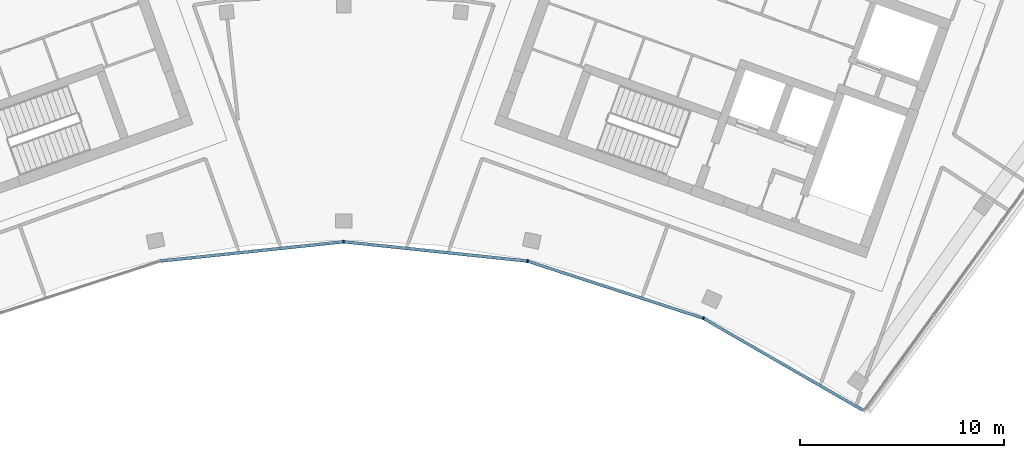
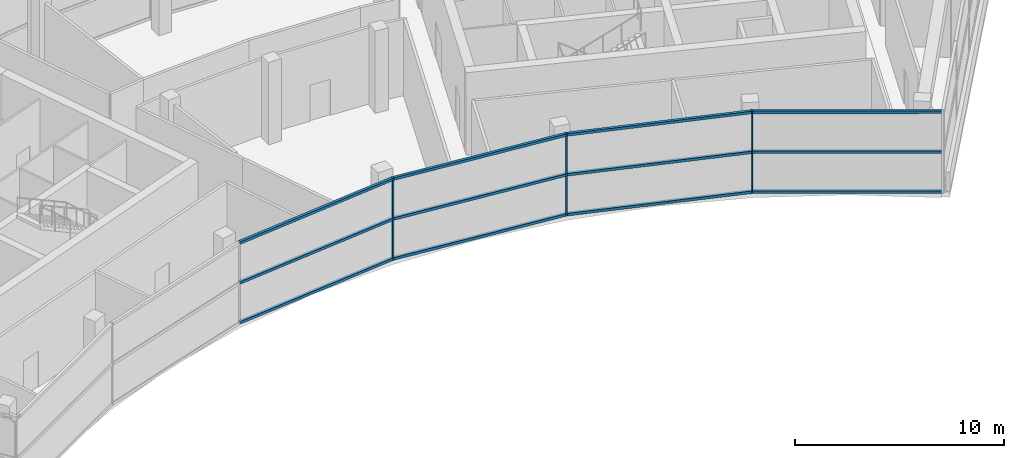
# One storey, part 4 of 13: 15 members, 1 element without a shape of its own.
"""IFC4 building model written with IfcOpenShell, lengths in metres."""

from ifc_helpers import new_model, si_unit, direction, frame, origin, origin_2d, place, context, subcontext, project, spatial, rectangle, extrude, material, layer, layer_set, material_profile, profile_set, type_object, element, aggregate, save


model = new_model("IFC4")

# Units and contexts
model_context = context("Model", 3, precision=1e-05, world=origin(), true_north=direction((0.0, 1.0)))
body_context = subcontext(model_context, "Body", "Model", "MODEL_VIEW")
ifc_project = project(units=[si_unit("LENGTHUNIT", "METRE"), si_unit("AREAUNIT", "SQUARE_METRE"), si_unit("VOLUMEUNIT", "CUBIC_METRE"), si_unit("PLANEANGLEUNIT", "RADIAN"), si_unit("MASSUNIT", "GRAM", prefix="KILO")], contexts=[model_context])

# Site, building, storey
site_placement = place(None, origin())
site = spatial("IfcSite", under=ifc_project, at=site_placement, CompositionType="ELEMENT")
building_placement = place(site_placement, origin())
building = spatial("IfcBuilding", under=site, at=building_placement, Name="Stone Belt Terrace Tower", CompositionType="ELEMENT")
storey_placement = place(building_placement, frame((0.0, 0.0, 332.60009765625)))
storey = spatial("IfcBuildingStorey", under=building, at=storey_placement, Name="L79", CompositionType="ELEMENT", Elevation=332.60009765625)

# Curtain wall, members
ifc_material = material(Name="Aluminium 6063-T6 anodised frame", Category="aluminium")
ifc_layer = layer(ifc_material, 0.14990234375)
ifc_layer_set = layer_set([ifc_layer], Name="CW-F observation floor curtain wall")
curtain_wall_type = type_object("IfcCurtainWallType", Name="CW-F observation floor curtain wall", PredefinedType="NOTDEFINED", material=ifc_layer_set)
curtain_wall_placement = place(storey_placement, origin())
curtain_wall = element("IfcCurtainWall", 1, at=curtain_wall_placement, inside=storey, type_object=curtain_wall_type, Name="CW-F concave face L79", PredefinedType="NOTDEFINED")
ifc_material_profile_1 = material_profile(ifc_material, rectangle(XDim=0.14990234375, YDim=0.070068359375, at=origin_2d()), Name="Aluminium 6063-T6 70x150")
ifc_profile_set_1 = profile_set([ifc_material_profile_1], Name="Aluminium 6063-T6 anodised frame")
member_type_1 = type_object("IfcMemberType", Name="CW-F mullion 70 x 150", PredefinedType="MULLION", material=ifc_profile_set_1)
member_1_placement = place(storey_placement, frame((0.0, 43.424560546875, 0.0), z_axis=(0.0, 0.0, 1.0), x_axis=(0.0, 1.0, 0.0)))
member_1 = element("IfcMember", 2, at=member_1_placement, type_object=member_type_1, Name="CW-F mullion 4", PredefinedType="MULLION", context=body_context, shape_type="SweptSolid", body=[
    extrude(rectangle(XDim=0.14990234375, YDim=0.070068359375, at=origin_2d()), origin(), (0.0, 0.0, 1.0), 4.7998046875),
])
member_2_placement = place(storey_placement, frame((9.028564453125, 42.4755859375, 0.0), z_axis=(0.0, 0.0, 1.0), x_axis=(0.207911690818, 0.978147600734, 0.0)))
member_2 = element("IfcMember", 3, at=member_2_placement, type_object=member_type_1, Name="CW-F mullion 5", PredefinedType="MULLION", context=body_context, shape_type="SweptSolid", body=[
    extrude(rectangle(XDim=0.14990234375, YDim=0.070068359375, at=origin_2d()), origin(), (0.0, 0.0, 1.0), 4.7998046875),
])
member_3_placement = place(storey_placement, frame((17.662353515625, 39.67041015625, 0.0), z_axis=(0.0, 0.0, 1.0), x_axis=(0.406497781929, 0.913651768064, 0.0)))
member_3 = element("IfcMember", 4, at=member_3_placement, type_object=member_type_1, Name="CW-F mullion 6", PredefinedType="MULLION", context=body_context, shape_type="SweptSolid", body=[
    extrude(rectangle(XDim=0.14990234375, YDim=0.070068359375, at=origin_2d()), origin(), (0.0, 0.0, 1.0), 4.7998046875),
])
ifc_material_profile_2 = material_profile(ifc_material, rectangle(XDim=0.14990234375, YDim=0.14990234375, at=origin_2d()), Name="Aluminium 6063-T6 150x150")
ifc_profile_set_2 = profile_set([ifc_material_profile_2], Name="Aluminium 6063-T6 anodised frame")
member_type_2 = type_object("IfcMemberType", Name="CW-F transom 150 x 150", PredefinedType="USERDEFINED", material=ifc_profile_set_2)
member_4_placement = place(storey_placement, frame((-8.986083984375, 42.480224609375, 0.074951171875), z_axis=(0.994522695299, 0.104520852152, 0.0), x_axis=(-0.104520852152, 0.994522695299, 0.0)))
member_4 = element("IfcMember", 5, at=member_4_placement, type_object=member_type_2, Name="CW-F transom 3.1", ObjectType="TRANSOM", PredefinedType="USERDEFINED", context=body_context, shape_type="SweptSolid", body=[
    extrude(rectangle(XDim=0.14990234375, YDim=0.14990234375, at=origin_2d()), origin(), (0.0, 0.0, 1.0), 8.992919921875),
])
member_5_placement = place(storey_placement, frame((-8.986083984375, 42.480224609375, 2.39990234375), z_axis=(0.994522695299, 0.104520852152, 0.0), x_axis=(-0.104520852152, 0.994522695299, 0.0)))
member_5 = element("IfcMember", 6, at=member_5_placement, type_object=member_type_2, Name="CW-F transom 3.2", ObjectType="TRANSOM", PredefinedType="USERDEFINED", context=body_context, shape_type="SweptSolid", body=[
    extrude(rectangle(XDim=0.14990234375, YDim=0.14990234375, at=origin_2d()), origin(), (0.0, 0.0, 1.0), 8.992919921875),
])
member_6_placement = place(storey_placement, frame((-8.986083984375, 42.480224609375, 4.724853515625), z_axis=(0.994522695299, 0.104520852152, 0.0), x_axis=(-0.104520852152, 0.994522695299, 0.0)))
member_6 = element("IfcMember", 7, at=member_6_placement, type_object=member_type_2, Name="CW-F transom 3.3", ObjectType="TRANSOM", PredefinedType="USERDEFINED", context=body_context, shape_type="SweptSolid", body=[
    extrude(rectangle(XDim=0.14990234375, YDim=0.14990234375, at=origin_2d()), origin(), (0.0, 0.0, 1.0), 8.992919921875),
])
member_7_placement = place(storey_placement, frame((0.04248046875, 43.420166015625, 0.074951171875), z_axis=(0.994522695299, -0.104520852152, 0.0), x_axis=(0.104520852152, 0.994522695299, 0.0)))
member_7 = element("IfcMember", 8, at=member_7_placement, type_object=member_type_2, Name="CW-F transom 4.1", ObjectType="TRANSOM", PredefinedType="USERDEFINED", context=body_context, shape_type="SweptSolid", body=[
    extrude(rectangle(XDim=0.14990234375, YDim=0.14990234375, at=origin_2d()), origin(), (0.0, 0.0, 1.0), 8.992919921875),
])
member_8_placement = place(storey_placement, frame((0.04248046875, 43.420166015625, 2.39990234375), z_axis=(0.994522695299, -0.104520852152, 0.0), x_axis=(0.104520852152, 0.994522695299, 0.0)))
member_8 = element("IfcMember", 9, at=member_8_placement, type_object=member_type_2, Name="CW-F transom 4.2", ObjectType="TRANSOM", PredefinedType="USERDEFINED", context=body_context, shape_type="SweptSolid", body=[
    extrude(rectangle(XDim=0.14990234375, YDim=0.14990234375, at=origin_2d()), origin(), (0.0, 0.0, 1.0), 8.992919921875),
])
member_9_placement = place(storey_placement, frame((0.04248046875, 43.420166015625, 4.724853515625), z_axis=(0.994522695299, -0.104520852152, 0.0), x_axis=(0.104520852152, 0.994522695299, 0.0)))
member_9 = element("IfcMember", 10, at=member_9_placement, type_object=member_type_2, Name="CW-F transom 4.3", ObjectType="TRANSOM", PredefinedType="USERDEFINED", context=body_context, shape_type="SweptSolid", body=[
    extrude(rectangle(XDim=0.14990234375, YDim=0.14990234375, at=origin_2d()), origin(), (0.0, 0.0, 1.0), 8.992919921875),
])
member_10_placement = place(storey_placement, frame((9.069091796875, 42.46240234375, 0.074951171875), z_axis=(0.951061198076, -0.309002584965, 0.0), x_axis=(0.309002584965, 0.951061198076, 0.0)))
member_10 = element("IfcMember", 11, at=member_10_placement, type_object=member_type_2, Name="CW-F transom 5.1", ObjectType="TRANSOM", PredefinedType="USERDEFINED", context=body_context, shape_type="SweptSolid", body=[
    extrude(rectangle(XDim=0.14990234375, YDim=0.14990234375, at=origin_2d()), origin(), (0.0, 0.0, 1.0), 8.992919921875),
])
member_11_placement = place(storey_placement, frame((9.069091796875, 42.46240234375, 2.39990234375), z_axis=(0.951061198076, -0.309002584965, 0.0), x_axis=(0.309002584965, 0.951061198076, 0.0)))
member_11 = element("IfcMember", 12, at=member_11_placement, type_object=member_type_2, Name="CW-F transom 5.2", ObjectType="TRANSOM", PredefinedType="USERDEFINED", context=body_context, shape_type="SweptSolid", body=[
    extrude(rectangle(XDim=0.14990234375, YDim=0.14990234375, at=origin_2d()), origin(), (0.0, 0.0, 1.0), 8.992919921875),
])
member_12_placement = place(storey_placement, frame((9.069091796875, 42.46240234375, 4.724853515625), z_axis=(0.951061198076, -0.309002584965, 0.0), x_axis=(0.309002584965, 0.951061198076, 0.0)))
member_12 = element("IfcMember", 13, at=member_12_placement, type_object=member_type_2, Name="CW-F transom 5.3", ObjectType="TRANSOM", PredefinedType="USERDEFINED", context=body_context, shape_type="SweptSolid", body=[
    extrude(rectangle(XDim=0.14990234375, YDim=0.14990234375, at=origin_2d()), origin(), (0.0, 0.0, 1.0), 8.992919921875),
])
member_13_placement = place(storey_placement, frame((17.69921875, 39.64892578125, 0.074951171875), z_axis=(0.866287749759, -0.499545327891, 0.0), x_axis=(0.499545327891, 0.866287749759, 0.0)))
member_13 = element("IfcMember", 14, at=member_13_placement, type_object=member_type_2, Name="CW-F transom 6.1", ObjectType="TRANSOM", PredefinedType="USERDEFINED", context=body_context, shape_type="SweptSolid", body=[
    extrude(rectangle(XDim=0.14990234375, YDim=0.14990234375, at=origin_2d()), origin(), (0.0, 0.0, 1.0), 8.989501953125),
])
member_14_placement = place(storey_placement, frame((17.69921875, 39.64892578125, 2.39990234375), z_axis=(0.866287749759, -0.499545327891, 0.0), x_axis=(0.499545327891, 0.866287749759, 0.0)))
member_14 = element("IfcMember", 15, at=member_14_placement, type_object=member_type_2, Name="CW-F transom 6.2", ObjectType="TRANSOM", PredefinedType="USERDEFINED", context=body_context, shape_type="SweptSolid", body=[
    extrude(rectangle(XDim=0.14990234375, YDim=0.14990234375, at=origin_2d()), origin(), (0.0, 0.0, 1.0), 8.989501953125),
])
member_15_placement = place(storey_placement, frame((17.69921875, 39.64892578125, 4.724853515625), z_axis=(0.866287749759, -0.499545327891, 0.0), x_axis=(0.499545327891, 0.866287749759, 0.0)))
member_15 = element("IfcMember", 16, at=member_15_placement, type_object=member_type_2, Name="CW-F transom 6.3", ObjectType="TRANSOM", PredefinedType="USERDEFINED", context=body_context, shape_type="SweptSolid", body=[
    extrude(rectangle(XDim=0.14990234375, YDim=0.14990234375, at=origin_2d()), origin(), (0.0, 0.0, 1.0), 8.989501953125),
])
aggregate(curtain_wall, [member_1, member_2, member_3, member_4, member_5, member_6, member_7, member_8, member_9, member_10, member_11, member_12, member_13, member_14, member_15])

save(model, "model.ifc")
